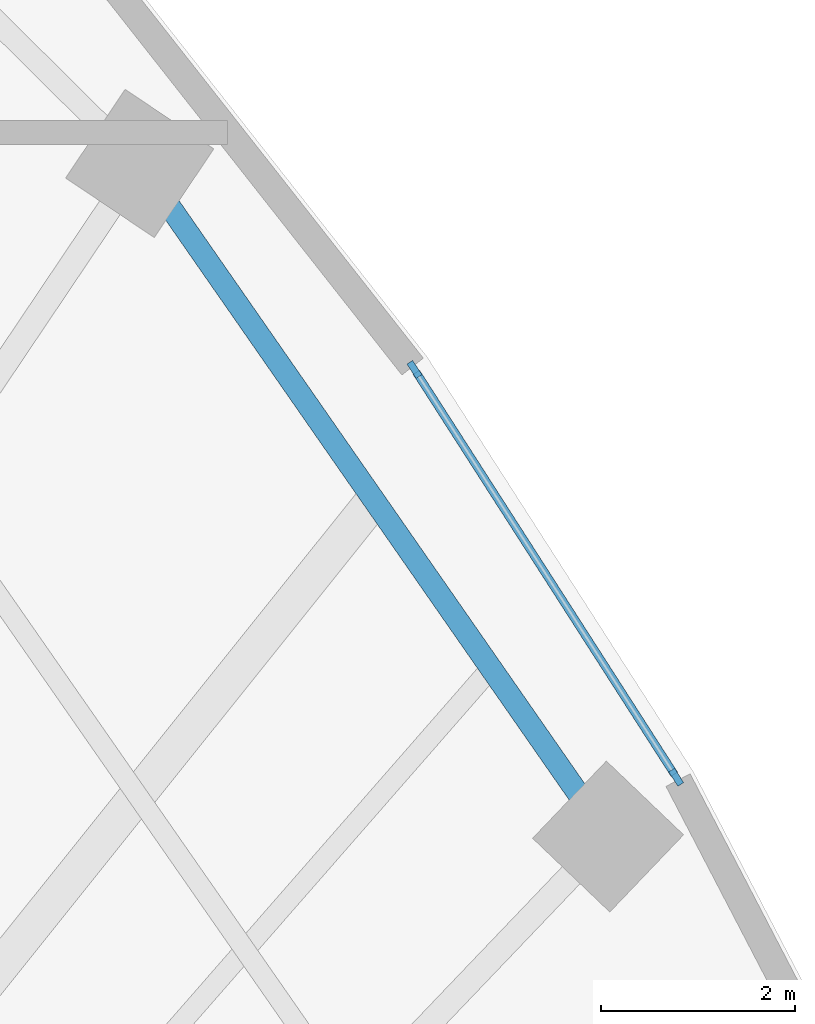
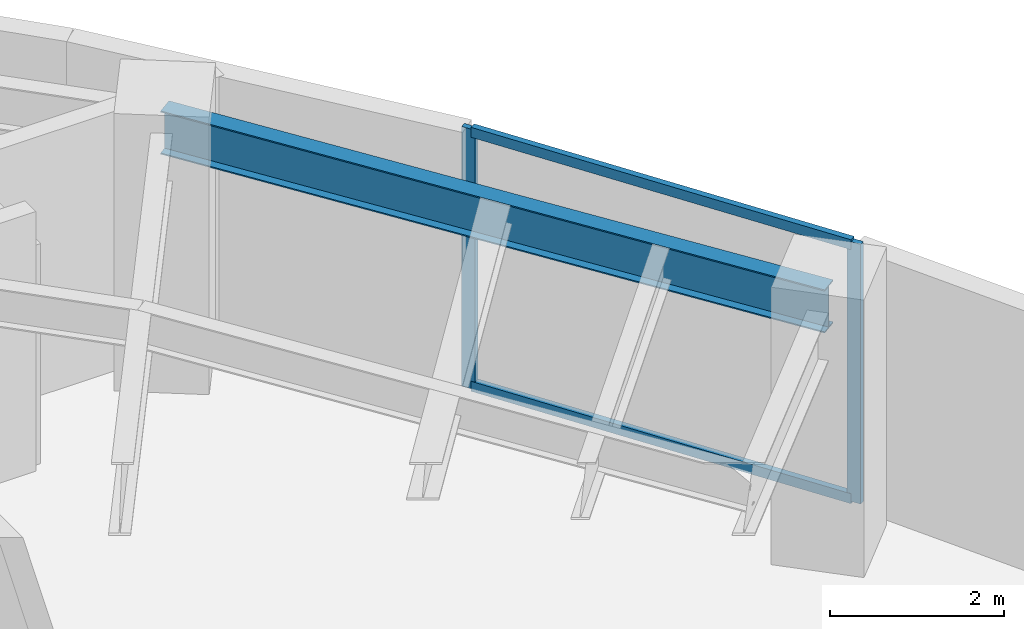
# One storey, part 6 of 14: 4 members, 1 beam, 1 element without a shape of its own.
"""IFC4 building model written with IfcOpenShell, lengths in metres."""

from ifc_helpers import new_model, si_unit, direction, frame, origin, origin_2d, place, context, subcontext, project, spatial, rectangle, i_section, extrude, source, transform, mapped, material, layer, layer_set, material_profile, profile_set, type_object, element, aggregate, save


model = new_model("IFC4")

# Units and contexts
model_context = context("Model", 3, precision=1e-05, world=origin(), true_north=direction((0.0, 1.0)))
body_context = subcontext(model_context, "Body", "Model", "MODEL_VIEW")
ifc_project = project(units=[si_unit("LENGTHUNIT", "METRE"), si_unit("AREAUNIT", "SQUARE_METRE"), si_unit("VOLUMEUNIT", "CUBIC_METRE"), si_unit("PLANEANGLEUNIT", "RADIAN"), si_unit("MASSUNIT", "GRAM", prefix="KILO")], contexts=[model_context])

# Site, building, storey
site_placement = place(None, origin())
site = spatial("IfcSite", under=ifc_project, at=site_placement, CompositionType="ELEMENT")
building_placement = place(site_placement, origin())
building = spatial("IfcBuilding", under=site, at=building_placement, Name="Breltana Convention Tower", CompositionType="ELEMENT")
storey_placement = place(building_placement, frame((0.0, 0.0, 177.89990234375)))
storey = spatial("IfcBuildingStorey", under=building, at=storey_placement, Name="L43", CompositionType="ELEMENT", Elevation=177.89990234375)

# Beam
ifc_material_1 = material(Name="Steel ASTM A992 Grade 50", Category="steel")
ifc_material_profile_1 = material_profile(ifc_material_1, i_section(OverallWidth=0.22802734375, OverallDepth=0.60791015625, WebThickness=0.01123046875, FlangeThickness=0.017333984375, at=origin_2d()), Name="W24X76")
ifc_profile_set_1 = profile_set([ifc_material_profile_1], Name="Steel ASTM A992 Grade 50")
beam_type = type_object("IfcBeamType", Name="BM-SP-W24X76", PredefinedType="SPANDREL", material=ifc_profile_set_1)
shared_shape_1 = source(origin(), body_context, "Body", "SweptSolid", [
    extrude(i_section(OverallWidth=0.22802734375, OverallDepth=0.60791015625, WebThickness=0.01123046875, FlangeThickness=0.017333984375, at=origin_2d()), origin(), (0.0, 0.0, 1.0), 8.44970703125),
])
beam_placement = place(storey_placement, frame((75.166748046875, 62.43017578125, 3.34619140625), z_axis=(0.5711855381, -0.820820979913, 0.0), x_axis=(0.820820979913, 0.5711855381, 0.0)))
element("IfcBeam", 1, at=beam_placement, inside=storey, type_object=beam_type, Name="L43 Outer Spandrel Beam 10", PredefinedType="SPANDREL", context=body_context, shape_type="MappedRepresentation", body=[
    mapped(shared_shape_1, transform((0.0, 0.0, 0.0), scale=1.0)),
])

# Curtain wall, members
ifc_material_2 = material(Name="Aluminium Anodised Bronze Frame", Category="aluminium")
ifc_layer = layer(ifc_material_2, 0.2099609375, Name="Aluminium Anodised Bronze Frame")
ifc_layer_set = layer_set([ifc_layer], Name="Aluminium Anodised Bronze Frame")
curtain_wall_type = type_object("IfcCurtainWallType", Name="CW-SYS-3", PredefinedType="NOTDEFINED", material=ifc_layer_set)
curtain_wall_placement = place(storey_placement, origin())
curtain_wall = element("IfcCurtainWall", 2, at=curtain_wall_placement, inside=storey, type_object=curtain_wall_type, Name="L43 outer double-skin inner glazing 5", PredefinedType="NOTDEFINED")
ifc_material_3 = material(Name="Aluminium Anodised Bronze", Category="aluminium")
ifc_material_profile_2 = material_profile(ifc_material_3, rectangle(XDim=0.070068359375, YDim=0.175048828125, at=origin_2d()), Name="CWM-70X175")
ifc_profile_set_2 = profile_set([ifc_material_profile_2], Name="Aluminium Anodised Bronze")
member_type_1 = type_object("IfcMemberType", Name="CWM-175", PredefinedType="MULLION", material=ifc_profile_set_2)
shared_shape_2 = source(origin(), body_context, "Body", "SweptSolid", [
    extrude(rectangle(XDim=0.070068359375, YDim=0.175048828125, at=origin_2d()), origin(), (0.0, 0.0, 1.0), 3.650146484375),
])
member_1_placement = place(storey_placement, frame((77.99755859375, 60.308349609375, 0.0), z_axis=(0.0, 0.0, 1.0), x_axis=(0.841554203529, 0.54017267843, 0.0)))
member_1 = element("IfcMember", 3, at=member_1_placement, type_object=member_type_1, Name="CW-03 mullion 1", PredefinedType="MULLION", context=body_context, shape_type="MappedRepresentation", body=[
    mapped(shared_shape_2, transform((0.0, 0.0, 0.0), scale=1.0)),
])
member_2_placement = place(storey_placement, frame((80.695556640625, 56.10498046875, 0.0), z_axis=(0.0, 0.0, 1.0), x_axis=(0.841554203529, 0.54017267843, 0.0)))
member_2 = element("IfcMember", 4, at=member_2_placement, type_object=member_type_1, Name="CW-03 mullion 2", PredefinedType="MULLION", context=body_context, shape_type="MappedRepresentation", body=[
    mapped(shared_shape_2, transform((0.0, 0.0, 0.0), scale=1.0)),
])
ifc_material_profile_3 = material_profile(ifc_material_3, rectangle(XDim=0.080078125, YDim=0.139892578125, at=origin_2d()), Name="CWT-80X140")
ifc_profile_set_3 = profile_set([ifc_material_profile_3], Name="Aluminium Anodised Bronze")
member_type_2 = type_object("IfcMemberType", Name="CWT-140", PredefinedType="USERDEFINED", material=ifc_profile_set_3)
shared_shape_3 = source(origin(), body_context, "Body", "SweptSolid", [
    extrude(rectangle(XDim=0.080078125, YDim=0.139892578125, at=origin_2d()), origin(), (0.0, 0.0, 1.0), 4.924560546875),
])
member_3_placement = place(storey_placement, frame((78.0166015625, 60.27880859375, 0.0400390625), z_axis=(0.540178660563, -0.841550363717, 0.0), x_axis=(0.841550363717, 0.540178660563, 0.0)))
member_3 = element("IfcMember", 5, at=member_3_placement, type_object=member_type_2, Name="CW-03 transom 1.1", ObjectType="TRANSOM", PredefinedType="USERDEFINED", context=body_context, shape_type="MappedRepresentation", body=[
    mapped(shared_shape_3, transform((0.0, 0.0, 0.0), scale=1.0)),
])
member_4_placement = place(storey_placement, frame((78.0166015625, 60.27880859375, 3.610107421875), z_axis=(0.540178660563, -0.841550363717, 0.0), x_axis=(0.841550363717, 0.540178660563, 0.0)))
member_4 = element("IfcMember", 6, at=member_4_placement, type_object=member_type_2, Name="CW-03 transom 1.2", ObjectType="TRANSOM", PredefinedType="USERDEFINED", context=body_context, shape_type="MappedRepresentation", body=[
    mapped(shared_shape_3, transform((0.0, 0.0, 0.0), scale=1.0)),
])
aggregate(curtain_wall, [member_1, member_2, member_3, member_4])

save(model, "model.ifc")
